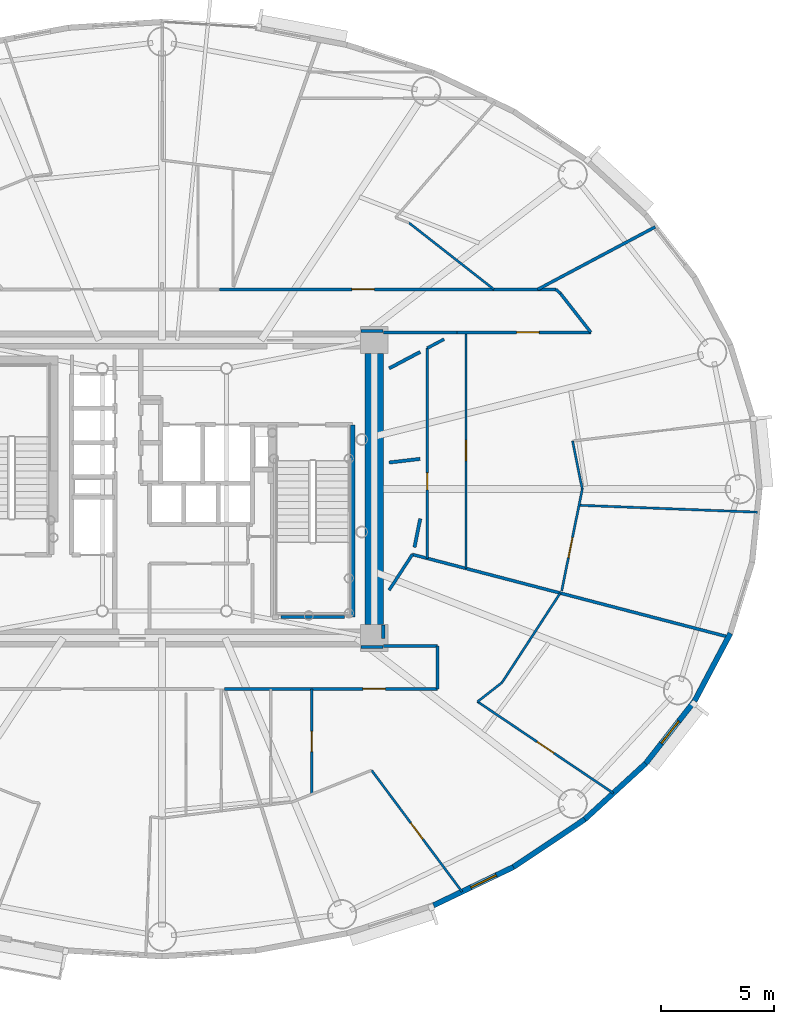
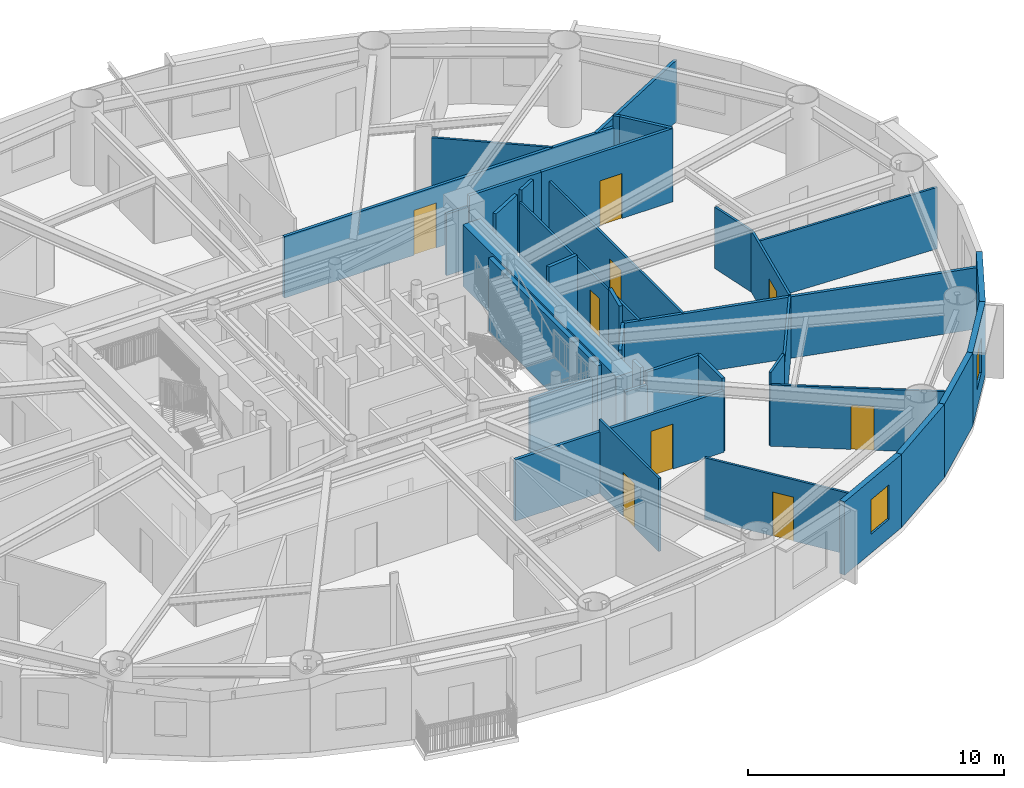
# One storey, part 9 of 17: 37 walls, 9 doors, 2 windows, 11 openings.
"""IFC4 building model written with IfcOpenShell, lengths in metres."""

from ifc_helpers import new_model, si_unit, direction, frame, frame_2d, origin, origin_2d, place, context, subcontext, project, spatial, rectangle, extrude, source, transform, mapped, material, layer, layer_set, type_object, element, fill, save


model = new_model("IFC4")

# Units and contexts
model_context = context("Model", 3, precision=1e-05, world=origin(), true_north=direction((0.0, 1.0)))
body_context = subcontext(model_context, "Body", "Model", "MODEL_VIEW")
ifc_project = project(units=[si_unit("LENGTHUNIT", "METRE"), si_unit("AREAUNIT", "SQUARE_METRE"), si_unit("VOLUMEUNIT", "CUBIC_METRE"), si_unit("PLANEANGLEUNIT", "RADIAN"), si_unit("MASSUNIT", "GRAM", prefix="KILO")], contexts=[model_context])

# Site, building, storey
site_placement = place(None, origin())
site = spatial("IfcSite", under=ifc_project, at=site_placement, CompositionType="ELEMENT")
building_placement = place(site_placement, origin())
building = spatial("IfcBuilding", under=site, at=building_placement, Name="Linh Dai School and Residence Tower", CompositionType="ELEMENT")
storey_placement = place(building_placement, frame((0.0, 0.0, 182.39990234375)))
storey = spatial("IfcBuildingStorey", under=building, at=storey_placement, Name="L44", CompositionType="ELEMENT", Elevation=182.39990234375)

# Wall, opening, window
ifc_material_1 = material(Name="Precast Concrete B45 (C35/45)", Category="concrete")
ifc_layer_1 = layer(ifc_material_1, 0.239990234375)
ifc_layer_set_1 = layer_set([ifc_layer_1], Name="Precast Concrete B45 (C35/45)")
wall_type_1 = type_object("IfcWallType", Name="EW-TC-240", PredefinedType="SOLIDWALL", material=ifc_layer_set_1)
wall_1_placement = place(storey_placement, frame((51.5732421875, 10.2568359375, 0.0), z_axis=(0.0, 0.0, 1.0), x_axis=(-0.901564733809, -0.432644231155, 0.0)))
wall_1 = element("IfcWall", 1, at=wall_1_placement, inside=storey, type_object=wall_type_1, Name="L44 Terracotta Exterior Wall 34", PredefinedType="SOLIDWALL", context=body_context, shape_type="SweptSolid", body=[
    extrude(rectangle(XDim=3.930419921875, YDim=0.239990234375, at=frame_2d((1.96533203125, 0.0))), origin(), (0.0, 0.0, 1.0), 3.5),
])
opening_1_placement = place(wall_1_placement, frame((0.84814453125, 0.0, 0.89990234375)))
opening_1 = element("IfcOpeningElement", 2, at=opening_1_placement, cuts=wall_1, Name="Opening W3", PredefinedType="OPENING", context=body_context, shape_type="SweptSolid", body=[
    extrude(rectangle(XDim=1.25, YDim=1.64990234375, at=origin_2d()), frame((0.625, 0.1298828125, 0.824951171875), z_axis=(0.0, -1.0, 0.0), x_axis=(1.0, 0.0, 0.0)), (0.0, 0.0, 1.0), 0.260009765625),
])
ifc_material_2 = material(Name="Double Low-E Insulated Glazing", Category="glass")
window_type = type_object("IfcWindowType", Name="WN-RES-1250x1650", PartitioningType="SINGLE_PANEL", PredefinedType="WINDOW", material=ifc_material_2)
shared_shape_1 = source(origin(), body_context, "Body", "SweptSolid", [
    extrude(rectangle(XDim=1.25, YDim=1.64990234375, at=origin_2d()), frame((0.625, 0.030029296875, 0.824951171875), z_axis=(0.0, -1.0, 0.0), x_axis=(1.0, 0.0, 0.0)), (0.0, 0.0, 1.0), 0.06005859375),
])
window_1_placement = place(opening_1_placement, origin())
window_1 = element("IfcWindow", 3, at=window_1_placement, inside=storey, type_object=window_type, Name="L44 Exterior Window 34.1", OverallHeight=1.64990234375, OverallWidth=1.25, PartitioningType="SINGLE_PANEL", PredefinedType="WINDOW", context=body_context, shape_type="MappedRepresentation", body=[
    mapped(shared_shape_1, transform((0.0, 0.0, 0.0), x_axis=(1.0, 0.0, 0.0), y_axis=(0.0, 1.0, 0.0), z_axis=(0.0, 0.0, 1.0), scale=1.0)),
])
fill(opening_1, window_1)

# Walls
wall_2_placement = place(storey_placement, frame((54.73193359375, 12.369384765625, 0.0), z_axis=(0.0, 0.0, 1.0), x_axis=(-0.831228998277, -0.555930168657, 0.0)))
element("IfcWall", 4, at=wall_2_placement, inside=storey, type_object=wall_type_1, Name="L44 Terracotta Exterior Wall 35", PredefinedType="SOLIDWALL", context=body_context, shape_type="SweptSolid", body=[
    extrude(rectangle(XDim=3.800048828125, YDim=0.239990234375, at=frame_2d((1.89990234375, 0.0))), origin(), (0.0, 0.0, 1.0), 3.5),
])
wall_3_placement = place(storey_placement, frame((57.42822265625, 14.841552734375, 0.0), z_axis=(0.0, 0.0, 1.0), x_axis=(-0.737076565834, -0.675809245349, 0.0)))
element("IfcWall", 5, at=wall_3_placement, inside=storey, type_object=wall_type_1, Name="L44 Terracotta Exterior Wall 36", PredefinedType="SOLIDWALL", context=body_context, shape_type="SweptSolid", body=[
    extrude(rectangle(XDim=3.658203125, YDim=0.239990234375, at=frame_2d((1.8291015625, 0.0))), origin(), (0.0, 0.0, 1.0), 3.5),
])

# Wall, opening, window
wall_4_placement = place(storey_placement, frame((59.595947265625, 17.611572265625, 0.0), z_axis=(0.0, 0.0, 1.0), x_axis=(-0.616287674549, -0.787521112224, 0.0)))
wall_4 = element("IfcWall", 6, at=wall_4_placement, inside=storey, type_object=wall_type_1, Name="L44 Terracotta Exterior Wall 37", PredefinedType="SOLIDWALL", context=body_context, shape_type="SweptSolid", body=[
    extrude(rectangle(XDim=3.517333984375, YDim=0.239990234375, at=frame_2d((1.7587890625, 0.0))), origin(), (0.0, 0.0, 1.0), 3.5),
])
opening_2_placement = place(wall_4_placement, frame((1.1337890625, 0.0, 0.89990234375)))
opening_2 = element("IfcOpeningElement", 7, at=opening_2_placement, cuts=wall_4, Name="Opening W3", PredefinedType="OPENING", context=body_context, shape_type="SweptSolid", body=[
    extrude(rectangle(XDim=1.25, YDim=1.64990234375, at=origin_2d()), frame((0.625, 0.1298828125, 0.824951171875), z_axis=(0.0, -1.0, 0.0), x_axis=(1.0, 0.0, 0.0)), (0.0, 0.0, 1.0), 0.260009765625),
])
window_2_placement = place(opening_2_placement, origin())
window_2 = element("IfcWindow", 8, at=window_2_placement, inside=storey, type_object=window_type, Name="L44 Dwelling Window U4406-BD2", OverallHeight=1.64990234375, OverallWidth=1.25, PartitioningType="SINGLE_PANEL", PredefinedType="WINDOW", context=body_context, shape_type="MappedRepresentation", body=[
    mapped(shared_shape_1, transform((0.0, 0.0, 0.0), x_axis=(1.0, 0.0, 0.0), y_axis=(0.0, 1.0, 0.0), z_axis=(0.0, 0.0, 1.0), scale=1.0)),
])
fill(opening_2, window_2)

# Wall
wall_5_placement = place(storey_placement, frame((61.1826171875, 20.611083984375, 0.0), z_axis=(0.0, 0.0, 1.0), x_axis=(-0.467586874938, -0.88394712194, 0.0)))
element("IfcWall", 9, at=wall_5_placement, inside=storey, type_object=wall_type_1, Name="L44 Terracotta Exterior Wall 38", PredefinedType="SOLIDWALL", context=body_context, shape_type="SweptSolid", body=[
    extrude(rectangle(XDim=3.393310546875, YDim=0.239990234375, at=frame_2d((1.69677734375, 0.0))), origin(), (0.0, 0.0, 1.0), 3.5),
])

# Wall, opening, door
ifc_material_3 = material(Name="Autoclaved Aerated Concrete Blockwork", Category="masonry")
ifc_layer_2 = layer(ifc_material_3, 0.135009765625)
ifc_layer_set_2 = layer_set([ifc_layer_2], Name="Autoclaved Aerated Concrete Blockwork")
wall_type_2 = type_object("IfcWallType", Name="IW-CORR-135-EI90", PredefinedType="PARTITIONING", material=ifc_layer_set_2)
wall_6_placement = place(storey_placement, frame((38.541259765625, 35.85009765625, 0.0), z_axis=(0.0, 0.0, 1.0), x_axis=(1.0, 0.0, 0.0)))
wall_6 = element("IfcWall", 10, at=wall_6_placement, inside=storey, type_object=wall_type_2, Name="L44 Interior Partition Wall 062", PredefinedType="PARTITIONING", context=body_context, shape_type="SweptSolid", body=[
    extrude(rectangle(XDim=14.91259765625, YDim=0.135009765625, at=frame_2d((7.456298828125, 0.0))), origin(), (0.0, 0.0, 1.0), 2.93505859375),
])
opening_3_placement = place(wall_6_placement, frame((5.86767578125, 0.0, 0.0)))
opening_3 = element("IfcOpeningElement", 11, at=opening_3_placement, cuts=wall_6, Name="Opening D03", PredefinedType="OPENING", context=body_context, shape_type="SweptSolid", body=[
    extrude(rectangle(XDim=1.0, YDim=2.14990234375, at=origin_2d()), frame((0.5, 0.07763671875, 1.074951171875), z_axis=(0.0, -1.0, 0.0), x_axis=(1.0, 0.0, 0.0)), (0.0, 0.0, 1.0), 0.155029296875),
])
ifc_material_4 = material(Name="Fire-Rated Solid Timber Entrance Door", Category="wood")
door_type_1 = type_object("IfcDoorType", Name="DR-FLAT-1000x2150-FD60S", OperationType="NOTDEFINED", PredefinedType="DOOR", material=ifc_material_4)
shared_shape_2 = source(origin(), body_context, "Body", "SweptSolid", [
    extrude(rectangle(XDim=1.0, YDim=2.14990234375, at=origin_2d()), frame((0.5, 0.02490234375, 1.074951171875), z_axis=(0.0, -1.0, 0.0), x_axis=(1.0, 0.0, 0.0)), (0.0, 0.0, 1.0), 0.050048828125),
])
door_1_placement = place(opening_3_placement, origin())
door_1 = element("IfcDoor", 12, at=door_1_placement, inside=storey, type_object=door_type_1, Name="L44 U4401 Apartment Entrance Door", OperationType="SINGLE_SWING_RIGHT", OverallHeight=2.14990234375, OverallWidth=1.0, PredefinedType="DOOR", context=body_context, shape_type="MappedRepresentation", body=[
    mapped(shared_shape_2, transform((0.0, 0.0, 0.0), x_axis=(1.0, 0.0, 0.0), y_axis=(0.0, 1.0, 0.0), z_axis=(0.0, 0.0, 1.0), scale=1.0)),
])
fill(opening_3, door_1)

wall_7_placement = place(storey_placement, frame((38.763671875, 18.14990234375, 0.0), z_axis=(0.0, 0.0, 1.0), x_axis=(1.0, 0.0, 0.0)))
wall_7 = element("IfcWall", 13, at=wall_7_placement, inside=storey, type_object=wall_type_2, Name="L44 Interior Partition Wall 065", PredefinedType="PARTITIONING", context=body_context, shape_type="SweptSolid", body=[
    extrude(rectangle(XDim=9.436279296875, YDim=0.135009765625, at=frame_2d((4.71826171875, 0.0))), origin(), (0.0, 0.0, 1.0), 2.93505859375),
])
opening_4_placement = place(wall_7_placement, frame((6.1298828125, 0.0, 0.0)))
opening_4 = element("IfcOpeningElement", 14, at=opening_4_placement, cuts=wall_7, Name="Opening D03", PredefinedType="OPENING", context=body_context, shape_type="SweptSolid", body=[
    extrude(rectangle(XDim=1.0, YDim=2.14990234375, at=origin_2d()), frame((0.5, 0.07763671875, 1.074951171875), z_axis=(0.0, -1.0, 0.0), x_axis=(1.0, 0.0, 0.0)), (0.0, 0.0, 1.0), 0.155029296875),
])
door_2_placement = place(opening_4_placement, origin())
door_2 = element("IfcDoor", 15, at=door_2_placement, inside=storey, type_object=door_type_1, Name="L44 U4406 Apartment Entrance Door", OperationType="SINGLE_SWING_LEFT", OverallHeight=2.14990234375, OverallWidth=1.0, PredefinedType="DOOR", context=body_context, shape_type="MappedRepresentation", body=[
    mapped(shared_shape_2, transform((0.0, 0.0, 0.0), x_axis=(1.0, 0.0, 0.0), y_axis=(0.0, 1.0, 0.0), z_axis=(0.0, 0.0, 1.0), scale=1.0)),
])
fill(opening_4, door_2)

# Walls
wall_8_placement = place(storey_placement, frame((45.800048828125, 20.050048828125, 0.0), z_axis=(0.0, 0.0, 1.0), x_axis=(1.0, 0.0, 0.0)))
element("IfcWall", 16, at=wall_8_placement, inside=storey, type_object=wall_type_2, Name="L44 Interior Partition Wall 081", PredefinedType="PARTITIONING", context=body_context, shape_type="SweptSolid", body=[
    extrude(rectangle(XDim=2.39990234375, YDim=0.135009765625, at=frame_2d((1.199951171875, 0.0))), origin(), (0.0, 0.0, 1.0), 3.5),
])
wall_9_placement = place(storey_placement, frame((47.090087890625, 24.104736328125, 0.0), z_axis=(0.0, 0.0, 1.0), x_axis=(0.967573213792, -0.252590728159, 0.0)))
element("IfcWall", 17, at=wall_9_placement, inside=storey, type_object=wall_type_2, Name="L44 Interior Partition Wall 085", PredefinedType="PARTITIONING", context=body_context, shape_type="SweptSolid", body=[
    extrude(rectangle(XDim=14.480712890625, YDim=0.135009765625, at=frame_2d((7.240234375, 0.0))), origin(), (0.0, 0.0, 1.0), 2.93505859375),
])
wall_10_placement = place(storey_placement, frame((48.199951171875, 18.14990234375, 0.0), z_axis=(0.0, 0.0, 1.0), x_axis=(0.0, 1.0, 0.0)))
element("IfcWall", 18, at=wall_10_placement, inside=storey, type_object=wall_type_2, Name="L44 Interior Partition Wall 087", PredefinedType="PARTITIONING", context=body_context, shape_type="SweptSolid", body=[
    extrude(rectangle(XDim=1.900146484375, YDim=0.135009765625, at=frame_2d((0.9501953125, 0.0))), origin(), (0.0, 0.0, 1.0), 3.5),
])

# Wall, opening, door
wall_11_placement = place(storey_placement, frame((49.071044921875, 33.949951171875, 0.0), z_axis=(0.0, 0.0, 1.0), x_axis=(1.0, 0.0, 0.0)))
wall_11 = element("IfcWall", 19, at=wall_11_placement, inside=storey, type_object=wall_type_2, Name="L44 Interior Partition Wall 088", PredefinedType="PARTITIONING", context=body_context, shape_type="SweptSolid", body=[
    extrude(rectangle(XDim=5.926025390625, YDim=0.135009765625, at=frame_2d((2.962890625, 0.0))), origin(), (0.0, 0.0, 1.0), 3.5),
])
opening_5_placement = place(wall_11_placement, frame((2.6396484375, 0.0, 0.0)))
opening_5 = element("IfcOpeningElement", 20, at=opening_5_placement, cuts=wall_11, Name="Opening D03", PredefinedType="OPENING", context=body_context, shape_type="SweptSolid", body=[
    extrude(rectangle(XDim=1.0, YDim=2.14990234375, at=origin_2d()), frame((0.5, 0.07763671875, 1.074951171875), z_axis=(0.0, -1.0, 0.0), x_axis=(1.0, 0.0, 0.0)), (0.0, 0.0, 1.0), 0.155029296875),
])
door_3_placement = place(opening_5_placement, origin())
door_3 = element("IfcDoor", 21, at=door_3_placement, inside=storey, type_object=door_type_1, Name="L44 U4407 Apartment Entrance Door", OperationType="SINGLE_SWING_RIGHT", OverallHeight=2.14990234375, OverallWidth=1.0, PredefinedType="DOOR", context=body_context, shape_type="MappedRepresentation", body=[
    mapped(shared_shape_2, transform((0.0, 0.0, 0.0), x_axis=(1.0, 0.0, 0.0), y_axis=(0.0, 1.0, 0.0), z_axis=(0.0, 0.0, 1.0), scale=1.0)),
])
fill(opening_5, door_3)

# Walls
wall_12_placement = place(storey_placement, frame((52.64453125, 35.85009765625, 0.0), z_axis=(0.0, 0.0, 1.0), x_axis=(0.882944268091, 0.469477815712, 0.0)))
element("IfcWall", 22, at=wall_12_placement, inside=storey, type_object=wall_type_2, Name="L44 Interior Partition Wall 093", PredefinedType="PARTITIONING", context=body_context, shape_type="SweptSolid", body=[
    extrude(rectangle(XDim=5.90185546875, YDim=0.135009765625, at=frame_2d((2.950927734375, 0.0))), origin(), (0.0, 0.0, 1.0), 2.93505859375),
])
wall_13_placement = place(storey_placement, frame((53.453857421875, 35.85009765625, 0.0), z_axis=(0.0, 0.0, 1.0), x_axis=(0.736667385572, -0.676255249913, 0.0)))
element("IfcWall", 23, at=wall_13_placement, inside=storey, type_object=wall_type_2, Name="L44 Interior Partition Wall 094", PredefinedType="PARTITIONING", context=body_context, shape_type="SweptSolid", body=[
    extrude(rectangle(XDim=0.270751953125, YDim=0.135009765625, at=frame_2d((0.13525390625, 0.0))), origin(), (0.0, 0.0, 1.0), 3.5),
])
wall_14_placement = place(storey_placement, frame((53.6533203125, 35.6669921875, 0.0), z_axis=(0.0, 0.0, 1.0), x_axis=(0.616302223209, -0.787509726713, 0.0)))
element("IfcWall", 24, at=wall_14_placement, inside=storey, type_object=wall_type_2, Name="L44 Interior Partition Wall 095", PredefinedType="PARTITIONING", context=body_context, shape_type="SweptSolid", body=[
    extrude(rectangle(XDim=2.180419921875, YDim=0.135009765625, at=frame_2d((1.09033203125, 0.0))), origin(), (0.0, 0.0, 1.0), 3.5),
])
wall_15_placement = place(storey_placement, frame((44.080078125, 21.330078125, 0.0), z_axis=(0.0, 0.0, 1.0), x_axis=(-1.0, 0.0, 0.0)))
element("IfcWall", 25, at=wall_15_placement, inside=storey, type_object=wall_type_2, Name="L44 Interior Partition Wall 100", PredefinedType="PARTITIONING", context=body_context, shape_type="SweptSolid", body=[
    extrude(rectangle(XDim=2.820068359375, YDim=0.135009765625, at=frame_2d((1.41015625, 0.0))), origin(), (0.0, 0.0, 1.0), 3.03515625),
])
wall_16_placement = place(storey_placement, frame((49.06103515625, 33.949951171875, 0.0), z_axis=(0.0, 0.0, 1.0), x_axis=(-1.0, 0.0, 0.0)))
element("IfcWall", 26, at=wall_16_placement, inside=storey, type_object=wall_type_2, Name="L44 Interior Partition Wall 107", PredefinedType="PARTITIONING", context=body_context, shape_type="SweptSolid", body=[
    extrude(rectangle(XDim=3.260986328125, YDim=0.135009765625, at=frame_2d((1.63037109375, 0.0))), origin(), (0.0, 0.0, 1.0), 3.5),
])
for number, where, z_axis, x_axis, name in (
    (27, (45.7900390625, 34.0, 0.0), (0.0, 0.0, 1.0), (-1.0, 0.0, 0.0), "L44 Interior Partition Wall 108"),
    (28, (44.81005859375, 20.0, 0.0), (0.0, 0.0, 1.0), (1.0, 0.0, 0.0), "L44 Interior Partition Wall 113"),
):
    element("IfcWall", number, at=place(storey_placement, frame(where, z_axis=z_axis, x_axis=x_axis)), inside=storey, type_object=wall_type_2, Name=name, PredefinedType="PARTITIONING", context=body_context, shape_type="SweptSolid", body=[
        extrude(rectangle(XDim=0.97998046875, YDim=0.135009765625, at=frame_2d((0.489990234375, 0.0))), origin(), (0.0, 0.0, 1.0), 2.93505859375),
    ])
wall_17_placement = place(storey_placement, frame((45.800048828125, 20.37744140625, 0.0), z_axis=(0.0, 0.0, 1.0), x_axis=(0.0, 1.0, 0.0)))
element("IfcWall", 29, at=wall_17_placement, inside=storey, type_object=wall_type_2, Name="L44 Interior Partition Wall 119", PredefinedType="PARTITIONING", context=body_context, shape_type="SweptSolid", body=[
    extrude(rectangle(XDim=0.612548828125, YDim=0.135009765625, at=frame_2d((0.30615234375, 0.0))), origin(), (0.0, 0.0, 1.0), 3.5),
])
wall_18_placement = place(storey_placement, frame((46.06005859375, 22.521484375, 0.0), z_axis=(0.0, 0.0, 1.0), x_axis=(0.545329049498, 0.838222063521, 0.0)))
element("IfcWall", 30, at=wall_18_placement, inside=storey, type_object=wall_type_2, Name="L44 Interior Partition Wall 120", PredefinedType="PARTITIONING", context=body_context, shape_type="SweptSolid", body=[
    extrude(rectangle(XDim=1.888916015625, YDim=0.135009765625, at=frame_2d((0.9443359375, 0.0))), origin(), (0.0, 0.0, 1.0), 2.93505859375),
])
wall_19_placement = place(storey_placement, frame((47.749267578125, 33.2470703125, 0.0), z_axis=(0.0, 0.0, 1.0), x_axis=(0.882834022315, 0.469685095616, 0.0)))
element("IfcWall", 31, at=wall_19_placement, inside=storey, type_object=wall_type_2, Name="L44 Interior Partition Wall 124", PredefinedType="PARTITIONING", context=body_context, shape_type="SweptSolid", body=[
    extrude(rectangle(XDim=0.842041015625, YDim=0.135009765625, at=frame_2d((0.4208984375, 0.0))), origin(), (0.0, 0.0, 1.0), 3.5),
])
ifc_layer_3 = layer(ifc_material_3, 0.14990234375)
ifc_layer_set_3 = layer_set([ifc_layer_3], Name="Autoclaved Aerated Concrete Blockwork")
wall_type_3 = type_object("IfcWallType", Name="IW-SCH-150-EI60", PredefinedType="PARTITIONING", material=ifc_layer_set_3)
wall_20_placement = place(storey_placement, frame((47.43310546875, 28.33984375, 0.0), z_axis=(0.0, 0.0, 1.0), x_axis=(-0.993204743367, -0.116380143293, 0.0)))
element("IfcWall", 32, at=wall_20_placement, inside=storey, type_object=wall_type_3, Name="L44 Interior Partition Wall 121", PredefinedType="PARTITIONING", context=body_context, shape_type="SweptSolid", body=[
    extrude(rectangle(XDim=1.38232421875, YDim=0.14990234375, at=frame_2d((0.691162109375, 0.0))), origin(), (0.0, 0.0, 1.0), 3.5),
])
wall_21_placement = place(storey_placement, frame((46.06005859375, 32.34912109375, 0.0), z_axis=(0.0, 0.0, 1.0), x_axis=(0.882988187469, 0.469395207465, 0.0)))
element("IfcWall", 33, at=wall_21_placement, inside=storey, type_object=wall_type_3, Name="L44 Interior Partition Wall 122", PredefinedType="PARTITIONING", context=body_context, shape_type="SweptSolid", body=[
    extrude(rectangle(XDim=1.56201171875, YDim=0.14990234375, at=frame_2d((0.781005859375, 0.0))), origin(), (0.0, 0.0, 1.0), 3.5),
])
wall_22_placement = place(storey_placement, frame((47.18212890625, 24.419189453125, 0.0), z_axis=(0.0, 0.0, 1.0), x_axis=(0.198178705385, 0.980165904698, 0.0)))
element("IfcWall", 34, at=wall_22_placement, inside=storey, type_object=wall_type_3, Name="L44 Interior Partition Wall 123", PredefinedType="PARTITIONING", context=body_context, shape_type="SweptSolid", body=[
    extrude(rectangle(XDim=1.297119140625, YDim=0.14990234375, at=frame_2d((0.6484375, 0.0))), origin(), (0.0, 0.0, 1.0), 3.5),
])
ifc_material_5 = material(Name="Concrete B45 (C35/45)", Category="concrete")
ifc_layer_4 = layer(ifc_material_5, 0.199951171875)
ifc_layer_set_4 = layer_set([ifc_layer_4], Name="Concrete B45 (C35/45)")
wall_type_4 = type_object("IfcWallType", Name="IW-SHAFT-200-EI120", PredefinedType="PARTITIONING", material=ifc_layer_set_4)
wall_23_placement = place(storey_placement, frame((44.43994140625, 21.330078125, 0.0), z_axis=(0.0, 0.0, 1.0), x_axis=(0.0, 1.0, 0.0)))
element("IfcWall", 35, at=wall_23_placement, inside=storey, type_object=wall_type_4, Name="L44 Interior Partition Wall 079", PredefinedType="PARTITIONING", context=body_context, shape_type="SweptSolid", body=[
    extrude(rectangle(XDim=8.52001953125, YDim=0.199951171875, at=frame_2d((4.260009765625, 0.0))), origin(), (0.0, 0.0, 1.0), 3.5),
])

# Wall, opening, door
ifc_material_6 = material(Name="Gypsum Plasterboard Acoustic Stud Partition", Category="masonry")
ifc_layer_5 = layer(ifc_material_6, 0.10009765625)
ifc_layer_set_5 = layer_set([ifc_layer_5], Name="Gypsum Plasterboard Acoustic Stud Partition")
wall_type_5 = type_object("IfcWallType", Name="IW-UNIT-100", PredefinedType="PARTITIONING", material=ifc_layer_set_5)
wall_24_placement = place(storey_placement, frame((42.626953125, 13.48095703125, 0.0), z_axis=(0.0, 0.0, 1.0), x_axis=(0.0, 1.0, 0.0)))
wall_24 = element("IfcWall", 36, at=wall_24_placement, inside=storey, type_object=wall_type_5, Name="L44 Interior Partition Wall 078", PredefinedType="PARTITIONING", context=body_context, shape_type="SweptSolid", body=[
    extrude(rectangle(XDim=4.6689453125, YDim=0.10009765625, at=frame_2d((2.33447265625, 0.0))), origin(), (0.0, 0.0, 1.0), 3.5),
])
opening_6_placement = place(wall_24_placement, frame((1.884521484375, 0.0, 0.0)))
opening_6 = element("IfcOpeningElement", 37, at=opening_6_placement, cuts=wall_24, Name="Opening D05", PredefinedType="OPENING", context=body_context, shape_type="SweptSolid", body=[
    extrude(rectangle(XDim=0.89990234375, YDim=2.10009765625, at=origin_2d()), frame((0.449951171875, 0.06005859375, 1.050048828125), z_axis=(0.0, -1.0, 0.0), x_axis=(1.0, 0.0, 0.0)), (0.0, 0.0, 1.0), 0.1201171875),
])
ifc_material_7 = material(Name="Engineered Timber Internal Door", Category="wood")
door_type_2 = type_object("IfcDoorType", Name="DR-INT-900x2100", OperationType="NOTDEFINED", PredefinedType="DOOR", material=ifc_material_7)
shared_shape_3 = source(origin(), body_context, "Body", "SweptSolid", [
    extrude(rectangle(XDim=0.89990234375, YDim=2.10009765625, at=origin_2d()), frame((0.449951171875, 0.02490234375, 1.050048828125), z_axis=(0.0, -1.0, 0.0), x_axis=(1.0, 0.0, 0.0)), (0.0, 0.0, 1.0), 0.050048828125),
])
door_4_placement = place(opening_6_placement, origin())
door_4 = element("IfcDoor", 38, at=door_4_placement, inside=storey, type_object=door_type_2, Name="L44 Apartment U4406 Kitchen Door", OperationType="SINGLE_SWING_RIGHT", OverallHeight=2.10009765625, OverallWidth=0.89990234375, PredefinedType="DOOR", context=body_context, shape_type="MappedRepresentation", body=[
    mapped(shared_shape_3, transform((0.0, 0.0, 0.0), x_axis=(1.0, 0.0, 0.0), y_axis=(0.0, 1.0, 0.0), z_axis=(0.0, 0.0, 1.0), scale=1.0)),
])
fill(opening_6, door_4)

wall_25_placement = place(storey_placement, frame((45.28173828125, 14.540283203125, 0.0), z_axis=(0.0, 0.0, 1.0), x_axis=(0.597407497301, -0.801937829366, 0.0)))
wall_25 = element("IfcWall", 39, at=wall_25_placement, inside=storey, type_object=wall_type_5, Name="L44 Interior Partition Wall 080", PredefinedType="PARTITIONING", context=body_context, shape_type="SweptSolid", body=[
    extrude(rectangle(XDim=6.713134765625, YDim=0.10009765625, at=frame_2d((3.3564453125, 0.0))), origin(), (0.0, 0.0, 1.0), 2.93505859375),
])
opening_7_placement = place(wall_25_placement, frame((2.906494140625, 0.0, 0.0)))
opening_7 = element("IfcOpeningElement", 40, at=opening_7_placement, cuts=wall_25, Name="Opening D05", PredefinedType="OPENING", context=body_context, shape_type="SweptSolid", body=[
    extrude(rectangle(XDim=0.89990234375, YDim=2.10009765625, at=origin_2d()), frame((0.449951171875, 0.06005859375, 1.050048828125), z_axis=(0.0, -1.0, 0.0), x_axis=(1.0, 0.0, 0.0)), (0.0, 0.0, 1.0), 0.1201171875),
])
door_5_placement = place(opening_7_placement, origin())
door_5 = element("IfcDoor", 41, at=door_5_placement, inside=storey, type_object=door_type_2, Name="L44 Apartment U4406 Principal Bedroom 1 Door", OperationType="SINGLE_SWING_RIGHT", OverallHeight=2.10009765625, OverallWidth=0.89990234375, PredefinedType="DOOR", context=body_context, shape_type="MappedRepresentation", body=[
    mapped(shared_shape_3, transform((0.0, 0.0, 0.0), x_axis=(1.0, 0.0, 0.0), y_axis=(0.0, 1.0, 0.0), z_axis=(0.0, 0.0, 1.0), scale=1.0)),
])
fill(opening_7, door_5)

# Wall
wall_26_placement = place(storey_placement, frame((46.944580078125, 38.79638671875, 0.0), z_axis=(0.0, 0.0, 1.0), x_axis=(0.787326008068, -0.616536906454, 0.0)))
element("IfcWall", 42, at=wall_26_placement, inside=storey, type_object=wall_type_5, Name="L44 Interior Partition Wall 084", PredefinedType="PARTITIONING", context=body_context, shape_type="SweptSolid", body=[
    extrude(rectangle(XDim=4.77880859375, YDim=0.10009765625, at=frame_2d((2.389404296875, 0.0))), origin(), (0.0, 0.0, 1.0), 2.93505859375),
])

# Wall, opening, door
wall_27_placement = place(storey_placement, frame((47.749267578125, 23.9326171875, 0.0), z_axis=(0.0, 0.0, 1.0), x_axis=(0.0, 1.0, 0.0)))
wall_27 = element("IfcWall", 43, at=wall_27_placement, inside=storey, type_object=wall_type_5, Name="L44 Interior Partition Wall 086", PredefinedType="PARTITIONING", context=body_context, shape_type="SweptSolid", body=[
    extrude(rectangle(XDim=9.314453125, YDim=0.10009765625, at=frame_2d((4.6572265625, 0.0))), origin(), (0.0, 0.0, 1.0), 2.93505859375),
])
opening_8_placement = place(wall_27_placement, frame((3.030029296875, 0.0, 0.0)))
opening_8 = element("IfcOpeningElement", 44, at=opening_8_placement, cuts=wall_27, Name="Opening D08", PredefinedType="OPENING", context=body_context, shape_type="SweptSolid", body=[
    extrude(rectangle(XDim=0.760009765625, YDim=2.10009765625, at=origin_2d()), frame((0.3798828125, 0.06005859375, 1.050048828125), z_axis=(0.0, -1.0, 0.0), x_axis=(1.0, 0.0, 0.0)), (0.0, 0.0, 1.0), 0.1201171875),
])
ifc_material_8 = material(Name="Engineered Timber Closet and Study Door", Category="wood")
door_type_3 = type_object("IfcDoorType", Name="DR-CMP-760x2100", OperationType="NOTDEFINED", PredefinedType="DOOR", material=ifc_material_8)
shared_shape_4 = source(origin(), body_context, "Body", "SweptSolid", [
    extrude(rectangle(XDim=0.760009765625, YDim=2.10009765625, at=origin_2d()), frame((0.3798828125, 0.02490234375, 1.050048828125), z_axis=(0.0, -1.0, 0.0), x_axis=(1.0, 0.0, 0.0)), (0.0, 0.0, 1.0), 0.050048828125),
])
door_6_placement = place(opening_8_placement, origin())
door_6 = element("IfcDoor", 45, at=door_6_placement, inside=storey, type_object=door_type_3, Name="L44 Apartment U4407 Bathroom 1 Door", OperationType="SINGLE_SWING_RIGHT", OverallHeight=2.10009765625, OverallWidth=0.760009765625, PredefinedType="DOOR", context=body_context, shape_type="MappedRepresentation", body=[
    mapped(shared_shape_4, transform((0.0, 0.0, 0.0), x_axis=(1.0, 0.0, 0.0), y_axis=(0.0, 1.0, 0.0), z_axis=(0.0, 0.0, 1.0), scale=1.0)),
])
fill(opening_8, door_6)

wall_28_placement = place(storey_placement, frame((49.46435546875, 23.48486328125, 0.0), z_axis=(0.0, 0.0, 1.0), x_axis=(0.0, 1.0, 0.0)))
wall_28 = element("IfcWall", 46, at=wall_28_placement, inside=storey, type_object=wall_type_5, Name="L44 Interior Partition Wall 089", PredefinedType="PARTITIONING", context=body_context, shape_type="SweptSolid", body=[
    extrude(rectangle(XDim=10.465087890625, YDim=0.10009765625, at=frame_2d((5.232421875, 0.0))), origin(), (0.0, 0.0, 1.0), 2.93505859375),
])
opening_9_placement = place(wall_28_placement, frame((4.78271484375, 0.0, 0.0)))
opening_9 = element("IfcOpeningElement", 47, at=opening_9_placement, cuts=wall_28, Name="Opening D05", PredefinedType="OPENING", context=body_context, shape_type="SweptSolid", body=[
    extrude(rectangle(XDim=0.89990234375, YDim=2.10009765625, at=origin_2d()), frame((0.449951171875, 0.06005859375, 1.050048828125), z_axis=(0.0, -1.0, 0.0), x_axis=(1.0, 0.0, 0.0)), (0.0, 0.0, 1.0), 0.1201171875),
])
door_7_placement = place(opening_9_placement, origin())
door_7 = element("IfcDoor", 48, at=door_7_placement, inside=storey, type_object=door_type_2, Name="L44 Apartment U4407 Kitchen Door", OperationType="SINGLE_SWING_LEFT", OverallHeight=2.10009765625, OverallWidth=0.89990234375, PredefinedType="DOOR", context=body_context, shape_type="MappedRepresentation", body=[
    mapped(shared_shape_3, transform((0.0, 0.0, 0.0), x_axis=(1.0, 0.0, 0.0), y_axis=(0.0, 1.0, 0.0), z_axis=(0.0, 0.0, 1.0), scale=1.0)),
])
fill(opening_9, door_7)

# Wall
wall_29_placement = place(storey_placement, frame((49.979248046875, 17.580078125, 0.0), z_axis=(0.0, 0.0, 1.0), x_axis=(0.787344176355, 0.6165137046, 0.0)))
element("IfcWall", 49, at=wall_29_placement, inside=storey, type_object=wall_type_5, Name="L44 Interior Partition Wall 090", PredefinedType="PARTITIONING", context=body_context, shape_type="SweptSolid", body=[
    extrude(rectangle(XDim=1.377685546875, YDim=0.10009765625, at=frame_2d((0.68896484375, 0.0))), origin(), (0.0, 0.0, 1.0), 3.5),
])

# Wall, opening, door
wall_30_placement = place(storey_placement, frame((49.979248046875, 17.580078125, 0.0), z_axis=(0.0, 0.0, 1.0), x_axis=(0.829313188428, -0.55878406876, 0.0)))
wall_30 = element("IfcWall", 50, at=wall_30_placement, inside=storey, type_object=wall_type_5, Name="L44 Interior Partition Wall 091", PredefinedType="PARTITIONING", context=body_context, shape_type="SweptSolid", body=[
    extrude(rectangle(XDim=7.258544921875, YDim=0.10009765625, at=frame_2d((3.62939453125, 0.0))), origin(), (0.0, 0.0, 1.0), 2.93505859375),
])
opening_10_placement = place(wall_30_placement, frame((3.17919921875, 0.0, 0.0)))
opening_10 = element("IfcOpeningElement", 51, at=opening_10_placement, cuts=wall_30, Name="Opening D05", PredefinedType="OPENING", context=body_context, shape_type="SweptSolid", body=[
    extrude(rectangle(XDim=0.89990234375, YDim=2.10009765625, at=origin_2d()), frame((0.449951171875, 0.06005859375, 1.050048828125), z_axis=(0.0, -1.0, 0.0), x_axis=(1.0, 0.0, 0.0)), (0.0, 0.0, 1.0), 0.1201171875),
])
door_8_placement = place(opening_10_placement, origin())
door_8 = element("IfcDoor", 52, at=door_8_placement, inside=storey, type_object=door_type_2, Name="L44 Apartment U4406 Principal Bedroom 2 Door", OperationType="SINGLE_SWING_LEFT", OverallHeight=2.10009765625, OverallWidth=0.89990234375, PredefinedType="DOOR", context=body_context, shape_type="MappedRepresentation", body=[
    mapped(shared_shape_3, transform((0.0, 0.0, 0.0), x_axis=(1.0, 0.0, 0.0), y_axis=(0.0, 1.0, 0.0), z_axis=(0.0, 0.0, 1.0), scale=1.0)),
])
fill(opening_10, door_8)

# Wall
wall_31_placement = place(storey_placement, frame((51.06396484375, 18.429443359375, 0.0), z_axis=(0.0, 0.0, 1.0), x_axis=(0.545362062942, 0.838200584767, 0.0)))
element("IfcWall", 53, at=wall_31_placement, inside=storey, type_object=wall_type_5, Name="L44 Interior Partition Wall 092", PredefinedType="PARTITIONING", context=body_context, shape_type="SweptSolid", body=[
    extrude(rectangle(XDim=4.7294921875, YDim=0.10009765625, at=frame_2d((2.36474609375, 0.0))), origin(), (0.0, 0.0, 1.0), 2.93505859375),
])

# Wall, opening, door
wall_32_placement = place(storey_placement, frame((53.708740234375, 22.494140625, 0.0), z_axis=(0.0, 0.0, 1.0), x_axis=(0.198239863178, 0.980153537282, 0.0)))
wall_32 = element("IfcWall", 54, at=wall_32_placement, inside=storey, type_object=wall_type_5, Name="L44 Interior Partition Wall 096", PredefinedType="PARTITIONING", context=body_context, shape_type="SweptSolid", body=[
    extrude(rectangle(XDim=4.597412109375, YDim=0.10009765625, at=frame_2d((2.298828125, 0.0))), origin(), (0.0, 0.0, 1.0), 2.93505859375),
])
opening_11_placement = place(wall_32_placement, frame((1.50390625, 0.0, 0.0)))
opening_11 = element("IfcOpeningElement", 55, at=opening_11_placement, cuts=wall_32, Name="Opening D05", PredefinedType="OPENING", context=body_context, shape_type="SweptSolid", body=[
    extrude(rectangle(XDim=0.89990234375, YDim=2.10009765625, at=origin_2d()), frame((0.449951171875, 0.06005859375, 1.050048828125), z_axis=(0.0, -1.0, 0.0), x_axis=(1.0, 0.0, 0.0)), (0.0, 0.0, 1.0), 0.1201171875),
])
door_9_placement = place(opening_11_placement, origin())
door_9 = element("IfcDoor", 56, at=door_9_placement, inside=storey, type_object=door_type_2, Name="L44 Apartment U4407 Principal Bedroom 1 Door", OperationType="SINGLE_SWING_LEFT", OverallHeight=2.10009765625, OverallWidth=0.89990234375, PredefinedType="DOOR", context=body_context, shape_type="MappedRepresentation", body=[
    mapped(shared_shape_3, transform((0.0, 0.0, 0.0), x_axis=(1.0, 0.0, 0.0), y_axis=(0.0, 1.0, 0.0), z_axis=(0.0, 0.0, 1.0), scale=1.0)),
])
fill(opening_11, door_9)

# Walls
wall_33_placement = place(storey_placement, frame((54.18896484375, 29.131591796875, 0.0), z_axis=(0.0, 0.0, 1.0), x_axis=(0.198252946245, -0.98015089109, 0.0)))
element("IfcWall", 57, at=wall_33_placement, inside=storey, type_object=wall_type_5, Name="L44 Interior Partition Wall 097", PredefinedType="PARTITIONING", context=body_context, shape_type="SweptSolid", body=[
    extrude(rectangle(XDim=2.1748046875, YDim=0.10009765625, at=frame_2d((1.08740234375, 0.0))), origin(), (0.0, 0.0, 1.0), 2.93505859375),
])
wall_34_placement = place(storey_placement, frame((54.475341796875, 26.28515625, 0.0), z_axis=(0.0, 0.0, 1.0), x_axis=(0.999251521297, -0.03868329336, 0.0)))
element("IfcWall", 58, at=wall_34_placement, inside=storey, type_object=wall_type_5, Name="L44 Interior Partition Wall 099", PredefinedType="PARTITIONING", context=body_context, shape_type="SweptSolid", body=[
    extrude(rectangle(XDim=7.907958984375, YDim=0.10009765625, at=frame_2d((3.9541015625, 0.0))), origin(), (0.0, 0.0, 1.0), 2.93505859375),
])
ifc_material_9 = material(Name="Concrete B60 (C50/60)", Category="concrete")
ifc_layer_6 = layer(ifc_material_9, 0.800048828125)
ifc_layer_set_6 = layer_set([ifc_layer_6], Name="Concrete B60 (C50/60)")
wall_type_6 = type_object("IfcWallType", Name="WL-CORE800", PredefinedType="SHEAR", material=ifc_layer_set_6)
wall_35_placement = place(storey_placement, frame((45.39990234375, 33.0, 0.0), z_axis=(0.0, 0.0, 1.0), x_axis=(0.0, -1.0, 0.0)))
element("IfcWall", 59, at=wall_35_placement, inside=storey, type_object=wall_type_6, Name="L44 Central Core Shear Wall E", PredefinedType="SHEAR", context=body_context, shape_type="SweptSolid", body=[
    extrude(rectangle(XDim=12.0, YDim=0.800048828125, at=frame_2d((6.0, 0.0))), origin(), (0.0, 0.0, 1.0), 2.9501953125),
])

save(model, "model.ifc")
